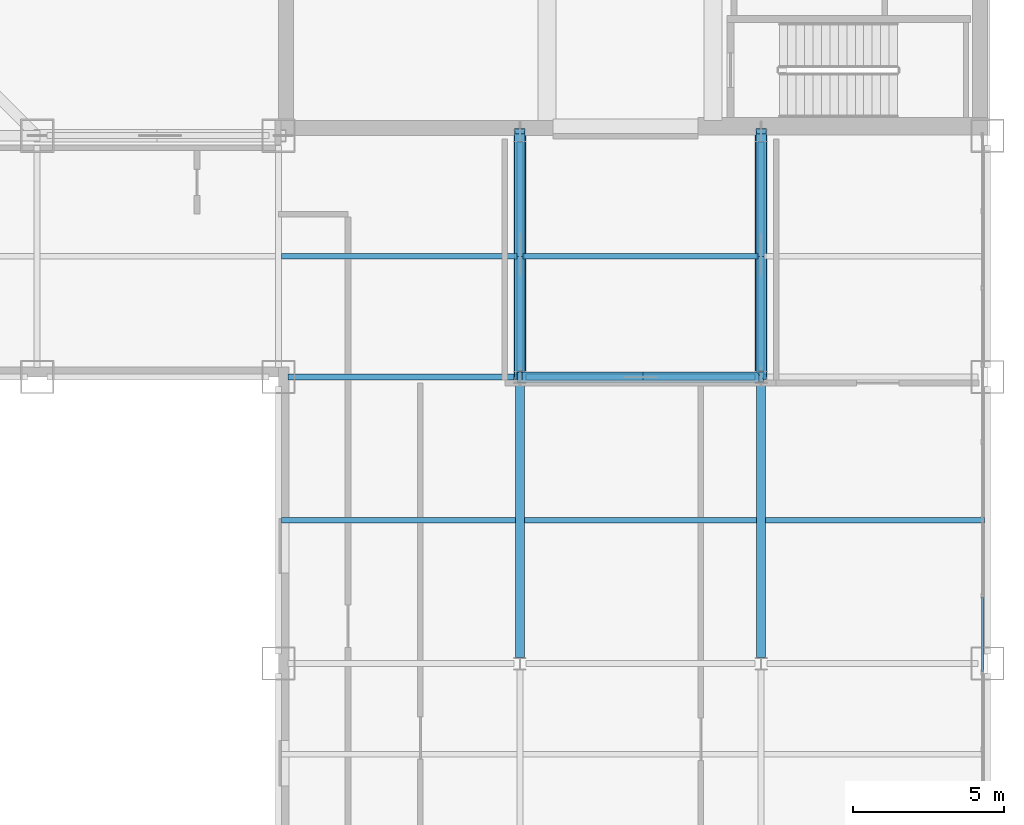
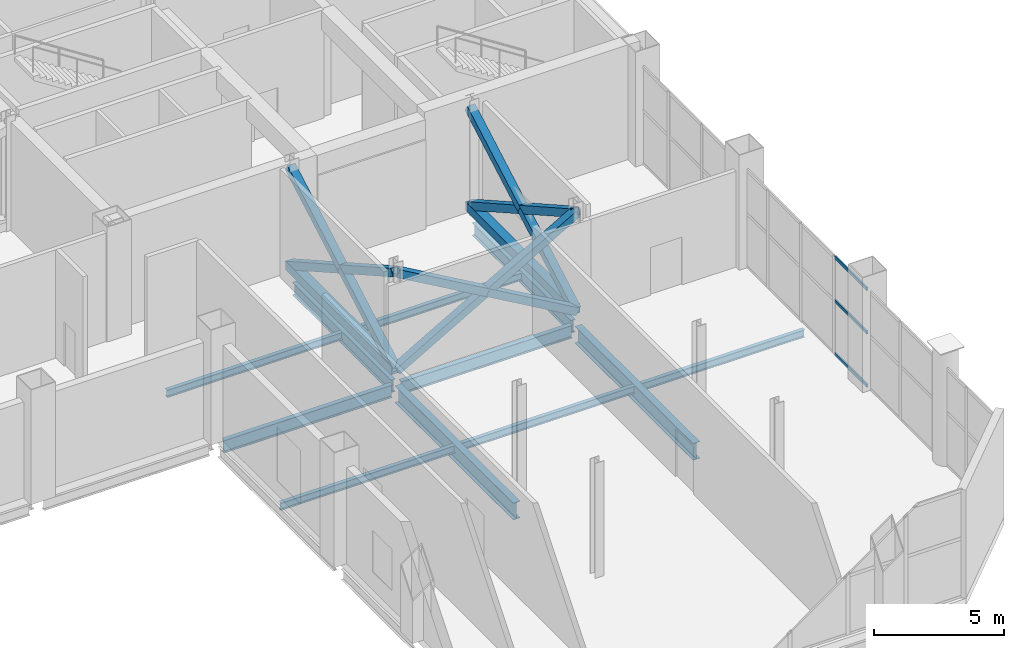
# One storey, part 11 of 24: 14 members, 11 beams, 1 element without a shape of its own.
"""IFC4 building model written with IfcOpenShell, lengths in metres."""

from ifc_helpers import new_model, si_unit, direction, frame, origin, origin_2d, place, context, subcontext, project, spatial, hollow_rectangle, i_section, extrude, material, layer, layer_set, material_profile, profile_set, type_object, element, aggregate, save


model = new_model("IFC4")

# Units and contexts
model_context = context("Model", 3, precision=1e-05, world=origin(), true_north=direction((0.0, 1.0)))
body_context = subcontext(model_context, "Body", "Model", "MODEL_VIEW")
ifc_project = project(units=[si_unit("LENGTHUNIT", "METRE"), si_unit("AREAUNIT", "SQUARE_METRE"), si_unit("VOLUMEUNIT", "CUBIC_METRE"), si_unit("PLANEANGLEUNIT", "RADIAN"), si_unit("MASSUNIT", "GRAM", prefix="KILO")], contexts=[model_context])

# Site, building, storey
site_placement = place(None, origin())
site = spatial("IfcSite", under=ifc_project, at=site_placement, CompositionType="ELEMENT")
building_placement = place(site_placement, origin())
building = spatial("IfcBuilding", under=site, at=building_placement, Name="Qianrong Seaharbour Tower", CompositionType="ELEMENT")
storey_placement = place(building_placement, frame((0.0, 0.0, 195.0)))
storey = spatial("IfcBuildingStorey", under=building, at=storey_placement, Name="L47", CompositionType="ELEMENT", Elevation=195.0)

# Beams
ifc_material_1 = material(Name="Structural steel SN490B", Category="steel")
ifc_material_profile_1 = material_profile(ifc_material_1, i_section(OverallWidth=0.199951171875, OverallDepth=0.60009765625, WebThickness=0.010986328125, FlangeThickness=0.01708984375, FilletRadius=0.02197265625, at=origin_2d()), Name="H600x200x11x17")
ifc_profile_set_1 = profile_set([ifc_material_profile_1], Name="Structural steel SN490B")
beam_type_1 = type_object("IfcBeamType", Name="BM-G-600", PredefinedType="BEAM", material=ifc_profile_set_1)
beam_1_placement = place(storey_placement, frame((40.820068359375, 28.0, -0.64990234375), z_axis=(1.0, 0.0, 0.0), x_axis=(0.0, 1.0, 0.0)))
element("IfcBeam", 1, at=beam_1_placement, inside=storey, type_object=beam_type_1, Name="L47 Primary Girder GE G6-G7", PredefinedType="BEAM", context=body_context, shape_type="SweptSolid", body=[
    extrude(i_section(OverallWidth=0.199951171875, OverallDepth=0.60009765625, WebThickness=0.010986328125, FlangeThickness=0.01708984375, FilletRadius=0.02197265625, at=origin_2d()), origin(), (0.0, 0.0, 1.0), 7.47998046875),
])
for number, where, z_axis, x_axis, name in (
    (2, (48.699951171875, 28.0, -0.64990234375), (1.0, 0.0, 0.0), (0.0, 1.0, 0.0), "L47 Primary Girder GE G7-G8"),
    (3, (48.5, 28.199951171875, -0.64990234375), (0.0, 1.0, 0.0), (-1.0, 0.0, 0.0), "L47 Primary Girder G7 GE-GF"),
    (4, (56.5, 28.199951171875, -0.64990234375), (0.0, 1.0, 0.0), (-1.0, 0.0, 0.0), "L47 Primary Girder G8 GE-GF"),
):
    element("IfcBeam", number, at=place(storey_placement, frame(where, z_axis=z_axis, x_axis=x_axis)), inside=storey, type_object=beam_type_1, Name=name, PredefinedType="BEAM", context=body_context, shape_type="SweptSolid", body=[
        extrude(i_section(OverallWidth=0.199951171875, OverallDepth=0.60009765625, WebThickness=0.010986328125, FlangeThickness=0.01708984375, FilletRadius=0.02197265625, at=origin_2d()), origin(), (0.0, 0.0, 1.0), 7.60009765625),
    ])
ifc_material_profile_2 = material_profile(ifc_material_1, i_section(OverallWidth=0.300048828125, OverallDepth=0.800048828125, WebThickness=0.013916015625, FlangeThickness=0.02587890625, FilletRadius=0.028076171875, at=origin_2d()), Name="H800x300x14x26")
ifc_profile_set_2 = profile_set([ifc_material_profile_2], Name="Structural steel SN490B")
beam_type_2 = type_object("IfcBeamType", Name="BM-G-800", PredefinedType="BEAM", material=ifc_profile_set_2)
for number, where, z_axis, x_axis, name in (
    (5, (48.5, 18.699951171875, -0.75), (0.0, 1.0, 0.0), (-1.0, 0.0, 0.0), "L47 Primary Girder G7 GD-GE"),
    (6, (56.5, 18.699951171875, -0.75), (0.0, 1.0, 0.0), (-1.0, 0.0, 0.0), "L47 Primary Girder G8 GD-GE"),
):
    element("IfcBeam", number, at=place(storey_placement, frame(where, z_axis=z_axis, x_axis=x_axis)), inside=storey, type_object=beam_type_2, Name=name, PredefinedType="BEAM", context=body_context, shape_type="SweptSolid", body=[
        extrude(i_section(OverallWidth=0.300048828125, OverallDepth=0.800048828125, WebThickness=0.013916015625, FlangeThickness=0.02587890625, FilletRadius=0.028076171875, at=origin_2d()), origin(), (0.0, 0.0, 1.0), 9.10009765625),
    ])
ifc_material_2 = material(Name="Structural steel SN400B", Category="steel")
ifc_material_profile_3 = material_profile(ifc_material_2, i_section(OverallWidth=0.175048828125, OverallDepth=0.35009765625, WebThickness=0.007080078125, FlangeThickness=0.010986328125, FilletRadius=0.013916015625, at=origin_2d()), Name="H350x175x7x11")
ifc_profile_set_3 = profile_set([ifc_material_profile_3], Name="Structural steel SN400B")
beam_type_3 = type_object("IfcBeamType", Name="BM-J-350", PredefinedType="JOIST", material=ifc_profile_set_3)
beam_2_placement = place(storey_placement, frame((40.60009765625, 23.25, -0.52490234375), z_axis=(1.0, 0.0, 0.0), x_axis=(0.0, 1.0, 0.0)))
element("IfcBeam", 7, at=beam_2_placement, inside=storey, type_object=beam_type_3, Name="L47 Composite Floor Joist G6-G7/GD-GE", PredefinedType="JOIST", context=body_context, shape_type="SweptSolid", body=[
    extrude(i_section(OverallWidth=0.175048828125, OverallDepth=0.35009765625, WebThickness=0.007080078125, FlangeThickness=0.010986328125, FilletRadius=0.013916015625, at=origin_2d()), origin(), (0.0, 0.0, 1.0), 7.75),
])
beam_3_placement = place(storey_placement, frame((40.60009765625, 32.0, -0.52490234375), z_axis=(1.0, 0.0, 0.0), x_axis=(0.0, 1.0, 0.0)))
element("IfcBeam", 8, at=beam_3_placement, inside=storey, type_object=beam_type_3, Name="L47 Composite Floor Joist G6-G7/GE-GF", PredefinedType="JOIST", context=body_context, shape_type="SweptSolid", body=[
    extrude(i_section(OverallWidth=0.175048828125, OverallDepth=0.35009765625, WebThickness=0.007080078125, FlangeThickness=0.010986328125, FilletRadius=0.013916015625, at=origin_2d()), origin(), (0.0, 0.0, 1.0), 7.7998046875),
])
beam_4_placement = place(storey_placement, frame((48.64990234375, 23.25, -0.52490234375), z_axis=(1.0, 0.0, 0.0), x_axis=(0.0, 1.0, 0.0)))
element("IfcBeam", 9, at=beam_4_placement, inside=storey, type_object=beam_type_3, Name="L47 Composite Floor Joist G7-G8/GD-GE", PredefinedType="JOIST", context=body_context, shape_type="SweptSolid", body=[
    extrude(i_section(OverallWidth=0.175048828125, OverallDepth=0.35009765625, WebThickness=0.007080078125, FlangeThickness=0.010986328125, FilletRadius=0.013916015625, at=origin_2d()), origin(), (0.0, 0.0, 1.0), 7.7001953125),
])
beam_5_placement = place(storey_placement, frame((48.60009765625, 32.0, -0.52490234375), z_axis=(1.0, 0.0, 0.0), x_axis=(0.0, 1.0, 0.0)))
element("IfcBeam", 10, at=beam_5_placement, inside=storey, type_object=beam_type_3, Name="L47 Composite Floor Joist G7-G8/GE-GF", PredefinedType="JOIST", context=body_context, shape_type="SweptSolid", body=[
    extrude(i_section(OverallWidth=0.175048828125, OverallDepth=0.35009765625, WebThickness=0.007080078125, FlangeThickness=0.010986328125, FilletRadius=0.013916015625, at=origin_2d()), origin(), (0.0, 0.0, 1.0), 7.7998046875),
])
beam_6_placement = place(storey_placement, frame((56.64990234375, 23.25, -0.52490234375), z_axis=(1.0, 0.0, 0.0), x_axis=(0.0, 1.0, 0.0)))
element("IfcBeam", 11, at=beam_6_placement, inside=storey, type_object=beam_type_3, Name="L47 Composite Floor Joist G8-G9/GD-GE", PredefinedType="JOIST", context=body_context, shape_type="SweptSolid", body=[
    extrude(i_section(OverallWidth=0.175048828125, OverallDepth=0.35009765625, WebThickness=0.007080078125, FlangeThickness=0.010986328125, FilletRadius=0.013916015625, at=origin_2d()), origin(), (0.0, 0.0, 1.0), 7.25),
])

# Curtain wall, members
ifc_material_3 = material(Name="Anodised aluminium 6063-T6 and laminated low-e glass", Category="aluminium")
ifc_layer = layer(ifc_material_3, 0.18505859375)
ifc_layer_set = layer_set([ifc_layer], Name="Anodised aluminium 6063-T6 and laminated low-e glass")
curtain_wall_type = type_object("IfcCurtainWallType", Name="CW-SYS-4", PredefinedType="NOTDEFINED", material=ifc_layer_set)
curtain_wall_placement = place(storey_placement, origin())
curtain_wall = element("IfcCurtainWall", 12, at=curtain_wall_placement, inside=storey, type_object=curtain_wall_type, Name="L47 Refuge Acoustic Louvre Curtain Wall EAST_WING", PredefinedType="NOTDEFINED")
ifc_material_4 = material(Name="Extruded aluminium 6063-T6", Category="aluminium")
ifc_material_profile_4 = material_profile(ifc_material_4, hollow_rectangle(XDim=0.06494140625, YDim=0.14990234375, WallThickness=0.00390625, at=origin_2d()), Name="ALU-TRN-150x65x4")
ifc_profile_set_4 = profile_set([ifc_material_profile_4], Name="Extruded aluminium 6063-T6")
member_type_1 = type_object("IfcMemberType", Name="CW-TRN-150", PredefinedType="USERDEFINED", material=ifc_profile_set_4)
member_1_placement = place(storey_placement, frame((63.830078125, 20.715087890625, 0.032470703125), z_axis=(0.0, -1.0, 0.0), x_axis=(1.0, 0.0, 0.0)))
member_1 = element("IfcMember", 13, at=member_1_placement, type_object=member_type_1, Name="CW-4 transom 7.1", ObjectType="TRANSOM", PredefinedType="USERDEFINED", context=body_context, shape_type="SweptSolid", body=[
    extrude(hollow_rectangle(XDim=0.06494140625, YDim=0.14990234375, WallThickness=0.00390625, at=origin_2d()), origin(), (0.0, 0.0, 1.0), 2.47998046875),
])
member_2_placement = place(storey_placement, frame((63.830078125, 20.715087890625, 2.535400390625), z_axis=(0.0, -1.0, 0.0), x_axis=(1.0, 0.0, 0.0)))
member_2 = element("IfcMember", 14, at=member_2_placement, type_object=member_type_1, Name="CW-4 transom 7.2", ObjectType="TRANSOM", PredefinedType="USERDEFINED", context=body_context, shape_type="SweptSolid", body=[
    extrude(hollow_rectangle(XDim=0.06494140625, YDim=0.14990234375, WallThickness=0.00390625, at=origin_2d()), origin(), (0.0, 0.0, 1.0), 2.47998046875),
])
member_3_placement = place(storey_placement, frame((63.830078125, 20.715087890625, 4.577392578125), z_axis=(0.0, -1.0, 0.0), x_axis=(1.0, 0.0, 0.0)))
member_3 = element("IfcMember", 15, at=member_3_placement, type_object=member_type_1, Name="CW-4 transom 7.3", ObjectType="TRANSOM", PredefinedType="USERDEFINED", context=body_context, shape_type="SweptSolid", body=[
    extrude(hollow_rectangle(XDim=0.06494140625, YDim=0.14990234375, WallThickness=0.00390625, at=origin_2d()), origin(), (0.0, 0.0, 1.0), 2.47998046875),
])
aggregate(curtain_wall, [member_1, member_2, member_3])

# Members
ifc_material_profile_5 = material_profile(ifc_material_1, hollow_rectangle(XDim=0.35009765625, YDim=0.35009765625, WallThickness=0.01611328125, at=origin_2d()), Name="SHS350x350x16")
ifc_profile_set_5 = profile_set([ifc_material_profile_5], Name="Structural steel SN490B")
member_type_2 = type_object("IfcMemberType", Name="MEM-BT-SHS350", PredefinedType="BRACE", material=ifc_profile_set_5)
member_4_placement = place(storey_placement, frame((48.5, 36.14990234375, 0.25), z_axis=(0.0, -0.87085420857, 0.491541399493), x_axis=(1.0, 0.0, 0.0)))
element("IfcMember", 16, at=member_4_placement, inside=storey, type_object=member_type_2, Name="L47 Outrigger Belt Truss Diagonal Brace OT-07", PredefinedType="BRACE", context=body_context, shape_type="SweptSolid", body=[
    extrude(hollow_rectangle(XDim=0.35009765625, YDim=0.35009765625, WallThickness=0.01611328125, at=origin_2d()), origin(), (0.0, 0.0, 1.0), 9.3583984375),
])
for number, where, z_axis, x_axis, name in (
    (17, (48.5, 36.14990234375, 4.85009765625), (0.0, -0.87085420857, -0.491541399493), (1.0, 0.0, 0.0), "L47 Outrigger Belt Truss Diagonal Brace OT-08"),
    (18, (48.5, 32.074951171875, 2.550048828125), (0.0, -0.87085420857, -0.491541399493), (1.0, 0.0, 0.0), "L47 Outrigger Belt Truss Diagonal Brace OT-09"),
):
    element("IfcMember", number, at=place(storey_placement, frame(where, z_axis=z_axis, x_axis=x_axis)), inside=storey, type_object=member_type_2, Name=name, PredefinedType="BRACE", context=body_context, shape_type="SweptSolid", body=[
        extrude(hollow_rectangle(XDim=0.35009765625, YDim=0.35009765625, WallThickness=0.01611328125, at=origin_2d()), origin(), (0.0, 0.0, 1.0), 4.67919921875),
    ])
member_5_placement = place(storey_placement, frame((56.5, 36.14990234375, 0.25), z_axis=(0.0, -0.87085420857, 0.491541399493), x_axis=(1.0, 0.0, 0.0)))
element("IfcMember", 19, at=member_5_placement, inside=storey, type_object=member_type_2, Name="L47 Outrigger Belt Truss Diagonal Brace OT-10", PredefinedType="BRACE", context=body_context, shape_type="SweptSolid", body=[
    extrude(hollow_rectangle(XDim=0.35009765625, YDim=0.35009765625, WallThickness=0.01611328125, at=origin_2d()), origin(), (0.0, 0.0, 1.0), 9.3583984375),
])
for number, where, z_axis, x_axis, name in (
    (20, (56.5, 36.14990234375, 4.85009765625), (0.0, -0.87085420857, -0.491541399493), (1.0, 0.0, 0.0), "L47 Outrigger Belt Truss Diagonal Brace OT-11"),
    (21, (56.5, 32.074951171875, 2.550048828125), (0.0, -0.87085420857, -0.491541399493), (1.0, 0.0, 0.0), "L47 Outrigger Belt Truss Diagonal Brace OT-12"),
):
    element("IfcMember", number, at=place(storey_placement, frame(where, z_axis=z_axis, x_axis=x_axis)), inside=storey, type_object=member_type_2, Name=name, PredefinedType="BRACE", context=body_context, shape_type="SweptSolid", body=[
        extrude(hollow_rectangle(XDim=0.35009765625, YDim=0.35009765625, WallThickness=0.01611328125, at=origin_2d()), origin(), (0.0, 0.0, 1.0), 4.67919921875),
    ])
member_6_placement = place(storey_placement, frame((48.5, 28.0, 0.25), z_axis=(0.866901730117, 0.0, 0.498479077114), x_axis=(0.0, 1.0, 0.0)))
element("IfcMember", 22, at=member_6_placement, inside=storey, type_object=member_type_2, Name="L47 Interior Belt Truss Diagonal Brace BT-19", PredefinedType="BRACE", context=body_context, shape_type="SweptSolid", body=[
    extrude(hollow_rectangle(XDim=0.35009765625, YDim=0.35009765625, WallThickness=0.01611328125, at=origin_2d()), origin(), (0.0, 0.0, 1.0), 9.228271484375),
])
for number, where, z_axis, x_axis, name in (
    (23, (48.5, 28.0, 4.85009765625), (0.866901730117, 0.0, -0.498479077114), (0.0, 1.0, 0.0), "L47 Interior Belt Truss Diagonal Brace BT-20"),
    (24, (52.5, 28.0, 2.550048828125), (0.866901730117, 0.0, -0.498479077114), (0.0, 1.0, 0.0), "L47 Interior Belt Truss Diagonal Brace BT-21"),
):
    element("IfcMember", number, at=place(storey_placement, frame(where, z_axis=z_axis, x_axis=x_axis)), inside=storey, type_object=member_type_2, Name=name, PredefinedType="BRACE", context=body_context, shape_type="SweptSolid", body=[
        extrude(hollow_rectangle(XDim=0.35009765625, YDim=0.35009765625, WallThickness=0.01611328125, at=origin_2d()), origin(), (0.0, 0.0, 1.0), 4.614013671875),
    ])
ifc_material_profile_6 = material_profile(ifc_material_1, hollow_rectangle(XDim=0.39990234375, YDim=0.39990234375, WallThickness=0.02001953125, at=origin_2d()), Name="SHS400x400x20")
ifc_profile_set_6 = profile_set([ifc_material_profile_6], Name="Structural steel SN490B")
member_type_3 = type_object("IfcMemberType", Name="MEM-CHORD-400", PredefinedType="CHORD", material=ifc_profile_set_6)
for number, where, z_axis, x_axis, name in (
    (25, (48.5, 28.0, 0.25), (0.0, 1.0, 0.0), (-1.0, 0.0, 0.0), "L47 Outrigger Truss Bottom Chord G7"),
    (26, (56.5, 28.0, 0.25), (0.0, 1.0, 0.0), (-1.0, 0.0, 0.0), "L47 Outrigger Truss Bottom Chord G8"),
):
    element("IfcMember", number, at=place(storey_placement, frame(where, z_axis=z_axis, x_axis=x_axis)), inside=storey, type_object=member_type_3, Name=name, PredefinedType="CHORD", context=body_context, shape_type="SweptSolid", body=[
        extrude(hollow_rectangle(XDim=0.39990234375, YDim=0.39990234375, WallThickness=0.02001953125, at=origin_2d()), origin(), (0.0, 0.0, 1.0), 8.14990234375),
    ])

save(model, "model.ifc")
